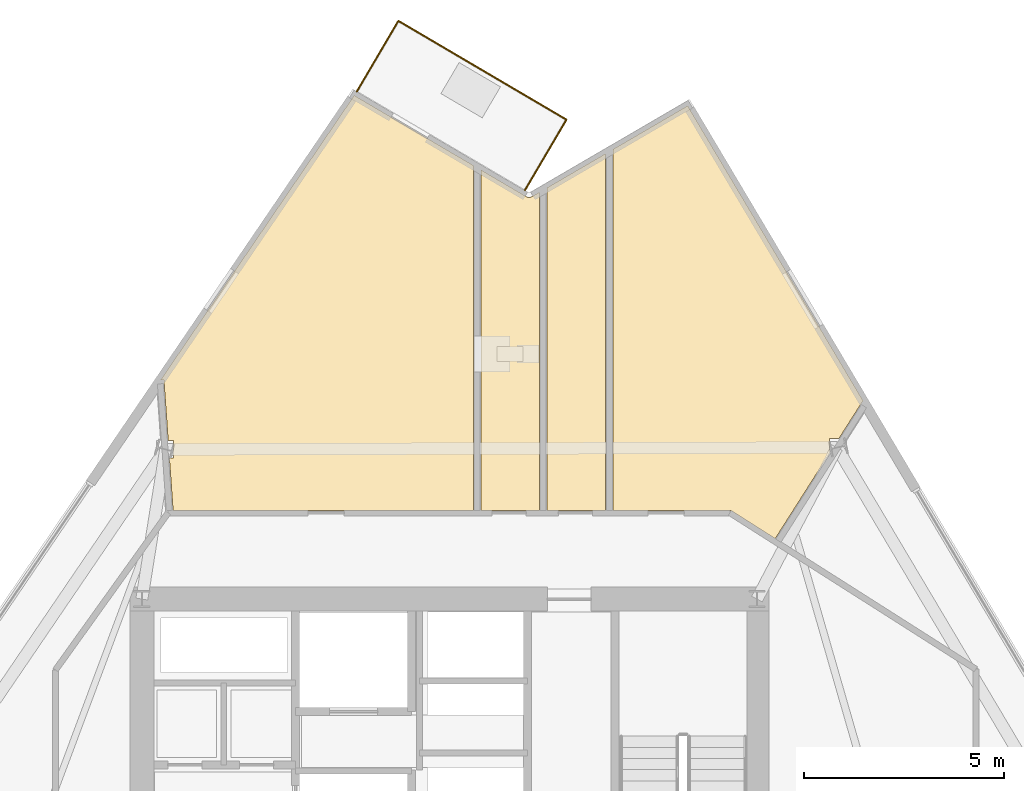
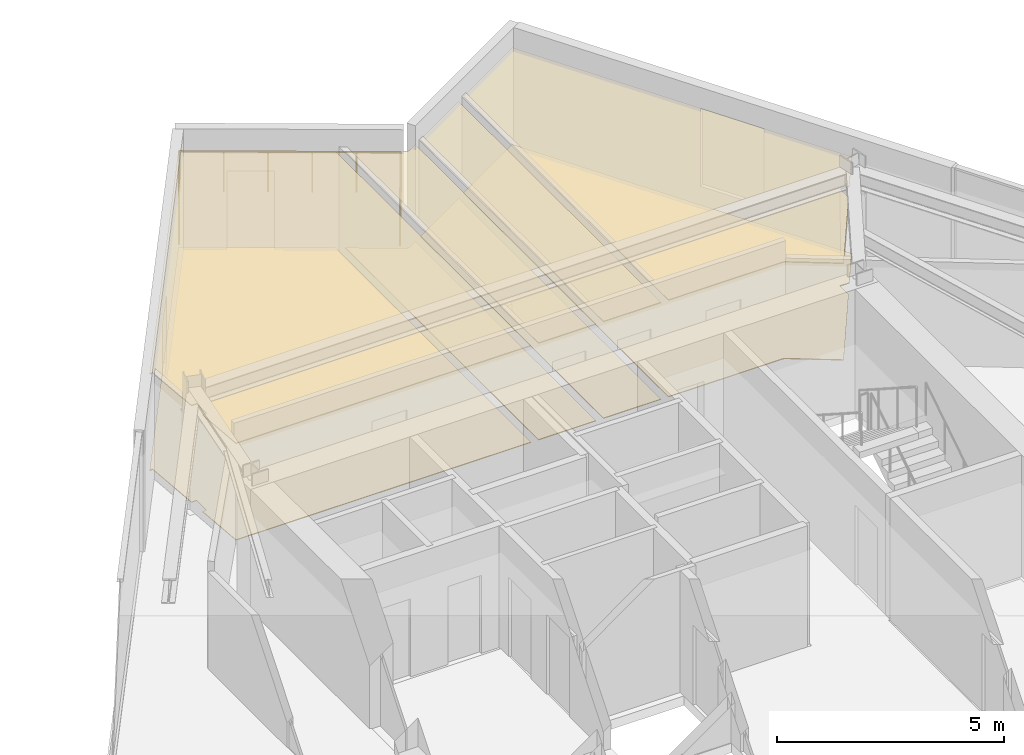
# One storey, part 14 of 15: 8 coverings, 3 railings.
"""IFC4 building model written with IfcOpenShell, lengths in metres."""

from ifc_helpers import new_model, si_unit, direction, frame, origin, origin_2d, place, context, subcontext, project, spatial, polyline, circle, outline, extrude, material, layer, layer_set, type_object, element, save


model = new_model("IFC4")

# Units and contexts
model_context = context("Model", 3, precision=1e-05, world=origin(), true_north=direction((0.0, 1.0)))
body_context = subcontext(model_context, "Body", "Model", "MODEL_VIEW")
ifc_project = project(units=[si_unit("LENGTHUNIT", "METRE"), si_unit("AREAUNIT", "SQUARE_METRE"), si_unit("VOLUMEUNIT", "CUBIC_METRE"), si_unit("PLANEANGLEUNIT", "RADIAN"), si_unit("MASSUNIT", "GRAM", prefix="KILO")], contexts=[model_context])

# Site, building, storey
site_placement = place(None, origin())
site = spatial("IfcSite", under=ifc_project, at=site_placement, CompositionType="ELEMENT")
building_placement = place(site_placement, origin())
building = spatial("IfcBuilding", under=site, at=building_placement, Name="Savorim Split Tower", CompositionType="ELEMENT")
storey_placement = place(building_placement, frame((0.0, 0.0, 125.699951171875)))
storey = spatial("IfcBuildingStorey", under=building, at=storey_placement, Name="L33", CompositionType="ELEMENT", Elevation=125.699951171875)

# Coverings
ifc_material_1 = material(Name="Mineral Fibre Acoustic Ceiling")
ifc_layer_1 = layer(ifc_material_1, 0.02490234375)
ifc_layer_set_1 = layer_set([ifc_layer_1], Name="COV-CEIL-25")
covering_type_1 = type_object("IfcCoveringType", Name="COV-CEIL-25", PredefinedType="CEILING", material=ifc_layer_set_1)
covering_1_placement = place(storey_placement, frame((0.0, 0.0, 2.60009765625)))
element("IfcCovering", 1, at=covering_1_placement, inside=storey, type_object=covering_type_1, Name="L33 Maker Workshop Acoustic Ceiling", PredefinedType="CEILING", context=body_context, shape_type="SweptSolid", body=[
    extrude(outline(polyline([(10.349609375, 15.16015625), (10.36474609375, 15.150390625), (5.96533203125, 22.54931640625), (4.098876953125, 21.46142578125), (4.098876953125, 12.419921875), (7.0, 12.419921875), (7.01318359375, 12.41943359375), (7.0263671875, 12.41748046875), (7.0390625, 12.414306640625), (7.051513671875, 12.41015625), (7.063720703125, 12.40478515625), (7.0751953125, 12.398193359375), (8.155517578125, 11.7109375), (9.510498046875, 13.8408203125), (9.510498046875, 14.216552734375), (9.74951171875, 14.216552734375), (10.298583984375, 15.080078125), (10.349609375, 15.16015625)])), origin(), (0.0, 0.0, 1.0), 0.02490234375),
])
covering_2_placement = place(storey_placement, frame((0.0, 0.0, 2.60009765625)))
element("IfcCovering", 2, at=covering_2_placement, inside=storey, type_object=covering_type_1, Name="L33 Quiet Study Room Acoustic Ceiling", PredefinedType="CEILING", context=body_context, shape_type="SweptSolid", body=[
    extrude(outline(polyline([(2.443603515625, 12.419921875), (3.908935546875, 12.419921875), (3.908935546875, 21.3505859375), (2.443603515625, 20.49658203125), (2.443603515625, 12.419921875)])), origin(), (0.0, 0.0, 1.0), 0.02490234375),
])
covering_3_placement = place(storey_placement, frame((0.0, 0.0, 2.60009765625)))
element("IfcCovering", 3, at=covering_3_placement, inside=storey, type_object=covering_type_1, Name="L33 Shared Bathroom Acoustic Ceiling", PredefinedType="CEILING", context=body_context, shape_type="SweptSolid", body=[
    extrude(outline(polyline([(1.955322265625, 20.260986328125), (1.944580078125, 20.265380859375), (1.934326171875, 20.270751953125), (0.788330078125, 20.9443359375), (0.788330078125, 12.419921875), (2.253662109375, 12.419921875), (2.253662109375, 20.385986328125), (2.0556640625, 20.2705078125), (2.04541015625, 20.26513671875), (2.03466796875, 20.260986328125), (2.023681640625, 20.257568359375), (2.01220703125, 20.25537109375), (2.000732421875, 20.25439453125), (1.9892578125, 20.25439453125), (1.977783203125, 20.255615234375), (1.96630859375, 20.2578125), (1.955322265625, 20.260986328125)])), origin(), (0.0, 0.0, 1.0), 0.02490234375),
])
covering_4_placement = place(storey_placement, frame((0.0, 0.0, 2.60009765625)))
element("IfcCovering", 4, at=covering_4_placement, inside=storey, type_object=covering_type_1, Name="L33 Co-Working Commons Acoustic Ceiling", PredefinedType="CEILING", context=body_context, shape_type="SweptSolid", body=[
    extrude(outline(polyline([(-6.918212890625, 12.419921875), (0.598388671875, 12.419921875), (0.598388671875, 21.055908203125), (-2.384765625, 22.80908203125), (-7.2314453125, 15.6845703125), (-7.14794921875, 15.690185546875), (-7.041015625, 14.167724609375), (-6.90771484375, 14.167724609375), (-6.90771484375, 13.731689453125), (-7.01025390625, 13.731689453125), (-6.91845703125, 12.42578125), (-6.918212890625, 12.419921875)])), origin(), (0.0, 0.0, 1.0), 0.02490234375),
])
ifc_material_2 = material(Name="Porcelain Stoneware Flooring", Category="masonry")
ifc_layer_2 = layer(ifc_material_2, 0.02001953125)
ifc_layer_set_2 = layer_set([ifc_layer_2], Name="COV-FLOR-20")
covering_type_2 = type_object("IfcCoveringType", Name="COV-FLOR-20", PredefinedType="FLOORING", material=ifc_layer_set_2)
covering_5_placement = place(storey_placement, origin())
element("IfcCovering", 5, at=covering_5_placement, inside=storey, type_object=covering_type_2, Name="L33 Maker Workshop Porcelain Flooring", PredefinedType="FLOORING", context=body_context, shape_type="SweptSolid", body=[
    extrude(outline(polyline([(10.349609375, 15.16015625), (10.36474609375, 15.150390625), (5.96533203125, 22.54931640625), (4.098876953125, 21.46142578125), (4.098876953125, 12.419921875), (7.0, 12.419921875), (7.01318359375, 12.41943359375), (7.0263671875, 12.41748046875), (7.0390625, 12.414306640625), (7.051513671875, 12.41015625), (7.063720703125, 12.40478515625), (7.0751953125, 12.398193359375), (8.155517578125, 11.7109375), (9.510498046875, 13.8408203125), (9.510498046875, 14.216552734375), (9.74951171875, 14.216552734375), (10.298583984375, 15.080078125), (10.349609375, 15.16015625)])), origin(), (0.0, 0.0, 1.0), 0.02001953125),
])
covering_6_placement = place(storey_placement, origin())
element("IfcCovering", 6, at=covering_6_placement, inside=storey, type_object=covering_type_2, Name="L33 Quiet Study Room Porcelain Flooring", PredefinedType="FLOORING", context=body_context, shape_type="SweptSolid", body=[
    extrude(outline(polyline([(2.443603515625, 12.419921875), (3.908935546875, 12.419921875), (3.908935546875, 21.3505859375), (2.443603515625, 20.49658203125), (2.443603515625, 12.419921875)])), origin(), (0.0, 0.0, 1.0), 0.02001953125),
])
covering_7_placement = place(storey_placement, origin())
element("IfcCovering", 7, at=covering_7_placement, inside=storey, type_object=covering_type_2, Name="L33 Shared Bathroom Porcelain Flooring", PredefinedType="FLOORING", context=body_context, shape_type="SweptSolid", body=[
    extrude(outline(polyline([(1.955322265625, 20.260986328125), (1.944580078125, 20.265380859375), (1.934326171875, 20.270751953125), (0.788330078125, 20.9443359375), (0.788330078125, 12.419921875), (2.253662109375, 12.419921875), (2.253662109375, 20.385986328125), (2.0556640625, 20.2705078125), (2.04541015625, 20.26513671875), (2.03466796875, 20.260986328125), (2.023681640625, 20.257568359375), (2.01220703125, 20.25537109375), (2.000732421875, 20.25439453125), (1.9892578125, 20.25439453125), (1.977783203125, 20.255615234375), (1.96630859375, 20.2578125), (1.955322265625, 20.260986328125)])), origin(), (0.0, 0.0, 1.0), 0.02001953125),
])
covering_8_placement = place(storey_placement, origin())
element("IfcCovering", 8, at=covering_8_placement, inside=storey, type_object=covering_type_2, Name="L33 Co-Working Commons Porcelain Flooring", PredefinedType="FLOORING", context=body_context, shape_type="SweptSolid", body=[
    extrude(outline(polyline([(-6.918212890625, 12.419921875), (0.598388671875, 12.419921875), (0.598388671875, 21.055908203125), (-2.384765625, 22.80908203125), (-7.2314453125, 15.6845703125), (-7.14794921875, 15.690185546875), (-7.041015625, 14.167724609375), (-6.90771484375, 14.167724609375), (-6.90771484375, 13.731689453125), (-7.01025390625, 13.731689453125), (-6.91845703125, 12.42578125), (-6.918212890625, 12.419921875)])), origin(), (0.0, 0.0, 1.0), 0.02001953125),
])

# Railings
ifc_material_3 = material(Name="Galvanised Painted Steel Balustrade", Category="steel")
railing_type = type_object("IfcRailingType", Name="RLG-BAL-1100", PredefinedType="BALUSTRADE", material=ifc_material_3)
railing_1_placement = place(storey_placement, frame((-2.317138671875, 22.90869140625, 0.0)))
element("IfcRailing", 9, at=railing_1_placement, inside=storey, type_object=railing_type, Name="L33 Tree Balcony Guardrail N-1", PredefinedType="BALUSTRADE", context=body_context, shape_type="SweptSolid", body=[
    extrude(circle(Radius=0.02392578125, at=origin_2d()), frame((0.0, 0.0, 1.076171875), z_axis=(0.50664533146, 0.862154573211, 0.0), x_axis=(-0.862154573211, 0.50664533146, 0.0)), (0.0, 0.0, 1.0), 2.0498046875),
    extrude(circle(Radius=0.02099609375, at=origin_2d()), origin(), (0.0, 0.0, 1.0), 1.052001953125),
    extrude(circle(Radius=0.02099609375, at=origin_2d()), frame((0.519287109375, 0.8837890625, 0.0)), (0.0, 0.0, 1.0), 1.052001953125),
    extrude(circle(Radius=0.02099609375, at=origin_2d()), frame((1.03857421875, 1.767333984375, 0.0)), (0.0, 0.0, 1.0), 1.052001953125),
])
railing_2_placement = place(storey_placement, frame((-1.278564453125, 24.676025390625, 0.0)))
element("IfcRailing", 10, at=railing_2_placement, inside=storey, type_object=railing_type, Name="L33 Tree Balcony Guardrail N-2", PredefinedType="BALUSTRADE", context=body_context, shape_type="SweptSolid", body=[
    extrude(circle(Radius=0.02392578125, at=origin_2d()), frame((0.0, 0.0, 1.076171875), z_axis=(0.862134693203, -0.506679159602, 0.0), x_axis=(0.506679159602, 0.862134693203, 0.0)), (0.0, 0.0, 1.0), 4.882080078125),
    extrude(circle(Radius=0.02099609375, at=origin_2d()), origin(), (0.0, 0.0, 1.0), 1.052001953125),
    extrude(circle(Radius=0.02099609375, at=origin_2d()), frame((0.841796875, -0.49462890625, 0.0)), (0.0, 0.0, 1.0), 1.052001953125),
    extrude(circle(Radius=0.02099609375, at=origin_2d()), frame((1.68359375, -0.989501953125, 0.0)), (0.0, 0.0, 1.0), 1.052001953125),
    extrude(circle(Radius=0.02099609375, at=origin_2d()), frame((2.525390625, -1.484130859375, 0.0)), (0.0, 0.0, 1.0), 1.052001953125),
    extrude(circle(Radius=0.02099609375, at=origin_2d()), frame((3.3671875, -1.97900390625, 0.0)), (0.0, 0.0, 1.0), 1.052001953125),
    extrude(circle(Radius=0.02099609375, at=origin_2d()), frame((4.208984375, -2.4736328125, 0.0)), (0.0, 0.0, 1.0), 1.052001953125),
])
railing_3_placement = place(storey_placement, frame((2.930419921875, 22.202392578125, 0.0)))
element("IfcRailing", 11, at=railing_3_placement, inside=storey, type_object=railing_type, Name="L33 Tree Balcony Guardrail N-3", PredefinedType="BALUSTRADE", context=body_context, shape_type="SweptSolid", body=[
    extrude(circle(Radius=0.02392578125, at=origin_2d()), frame((0.0, 0.0, 1.076171875), z_axis=(-0.506733850669, -0.862102548764, 0.0), x_axis=(0.862102548764, -0.506733850669, 0.0)), (0.0, 0.0, 1.0), 2.050048828125),
    extrude(circle(Radius=0.02099609375, at=origin_2d()), origin(), (0.0, 0.0, 1.0), 1.052001953125),
    extrude(circle(Radius=0.02099609375, at=origin_2d()), frame((-0.51953125, -0.8837890625, 0.0)), (0.0, 0.0, 1.0), 1.052001953125),
    extrude(circle(Radius=0.02099609375, at=origin_2d()), frame((-1.038818359375, -1.767333984375, 0.0)), (0.0, 0.0, 1.0), 1.052001953125),
])

save(model, "model.ifc")
